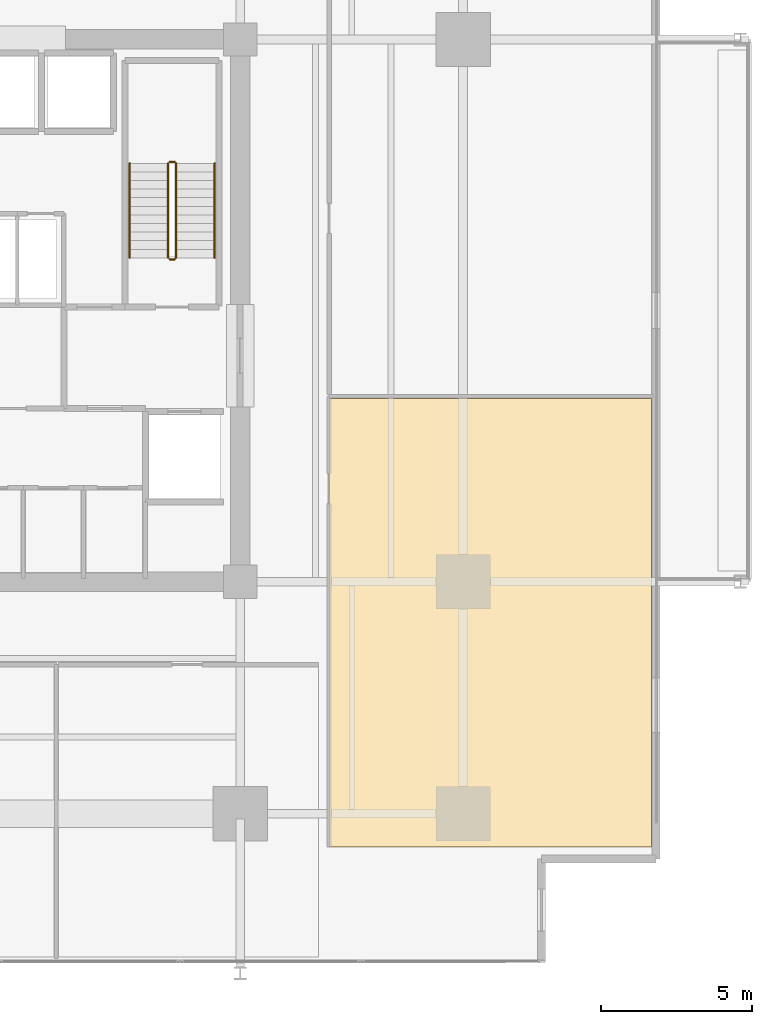
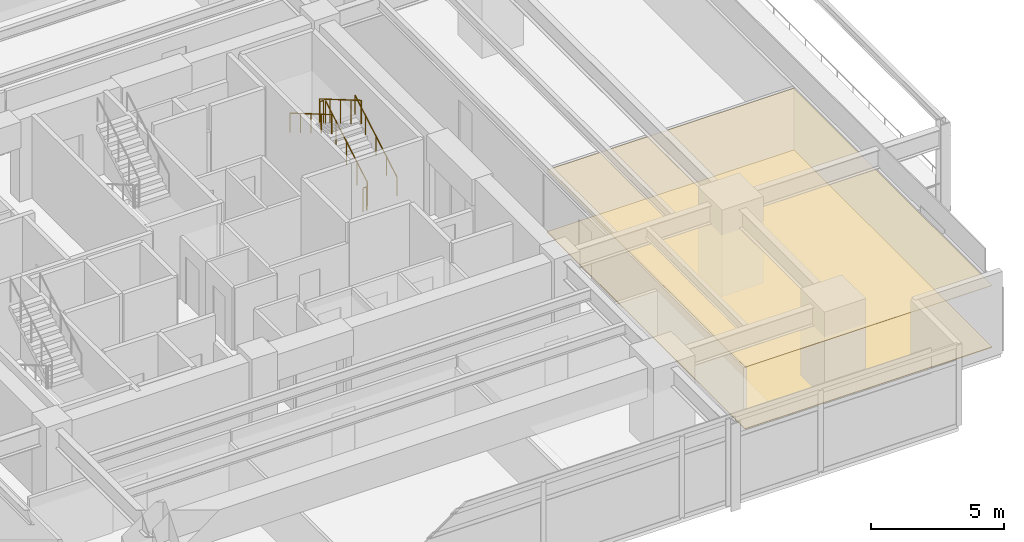
# One storey, part 20 of 21: 6 railings, 2 coverings.
"""IFC4 building model written with IfcOpenShell, lengths in metres."""

from ifc_helpers import new_model, si_unit, direction, frame, origin, origin_2d, place, context, subcontext, project, spatial, polyline, circle, outline, extrude, material, layer, layer_set, type_object, element, save


model = new_model("IFC4")

# Units and contexts
model_context = context("Model", 3, precision=1e-05, world=origin(), true_north=direction((0.0, 1.0)))
body_context = subcontext(model_context, "Body", "Model", "MODEL_VIEW")
ifc_project = project(units=[si_unit("LENGTHUNIT", "METRE"), si_unit("AREAUNIT", "SQUARE_METRE"), si_unit("VOLUMEUNIT", "CUBIC_METRE"), si_unit("PLANEANGLEUNIT", "RADIAN"), si_unit("MASSUNIT", "GRAM", prefix="KILO")], contexts=[model_context])

# Site, building, storey
site_placement = place(None, origin())
site = spatial("IfcSite", under=ifc_project, at=site_placement, CompositionType="ELEMENT")
building_placement = place(site_placement, origin())
building = spatial("IfcBuilding", under=site, at=building_placement, Name="Kovane Verandah Tower", CompositionType="ELEMENT")
storey_placement = place(building_placement, frame((0.0, 0.0, 27.60009765625)))
storey = spatial("IfcBuildingStorey", under=building, at=storey_placement, Name="L05", CompositionType="ELEMENT", Elevation=27.60009765625)

# Coverings
ifc_material_1 = material(Name="Perforated Acoustic Mineral-Fibre Ceiling Tile", Category="gypsum")
ifc_layer_1 = layer(ifc_material_1, 0.02490234375)
ifc_layer_set_1 = layer_set([ifc_layer_1], Name="Perforated Acoustic Mineral-Fibre Ceiling Tile")
covering_type_1 = type_object("IfcCoveringType", Name="CV-CEIL-25", PredefinedType="CEILING", material=ifc_layer_set_1)
covering_1_placement = place(storey_placement, frame((0.0, 0.0, 2.824951171875)))
element("IfcCovering", 1, at=covering_1_placement, inside=storey, type_object=covering_type_1, Name="L05 Collaboration Hub E1 Acoustic Ceiling", PredefinedType="CEILING", context=body_context, shape_type="SweptSolid", body=[
    extrude(outline(polyline([(53.949951171875, 9.699951171875), (64.64990234375, 9.699951171875), (64.64990234375, 24.58203125), (53.949951171875, 24.58203125), (53.949951171875, 9.699951171875)])), origin(), (0.0, 0.0, 1.0), 0.02490234375),
])
ifc_material_2 = material(Name="Polished Terrazzo and Raised-Access Carpet Tile Finish", Category="concrete")
ifc_layer_2 = layer(ifc_material_2, 0.030029296875)
ifc_layer_set_2 = layer_set([ifc_layer_2], Name="Polished Terrazzo and Raised-Access Carpet Tile Finish")
covering_type_2 = type_object("IfcCoveringType", Name="CV-FLOR-30", PredefinedType="FLOORING", material=ifc_layer_set_2)
covering_2_placement = place(storey_placement, origin())
element("IfcCovering", 2, at=covering_2_placement, inside=storey, type_object=covering_type_2, Name="L05 Collaboration Hub E1 Floor Finish", PredefinedType="FLOORING", context=body_context, shape_type="SweptSolid", body=[
    extrude(outline(polyline([(53.949951171875, 9.699951171875), (64.64990234375, 9.699951171875), (64.64990234375, 24.58203125), (53.949951171875, 24.58203125), (53.949951171875, 9.699951171875)])), origin(), (0.0, 0.0, 1.0), 0.02978515625),
])

# Railings
ifc_material_3 = material(Name="Brushed Stainless Steel Handrail", Category="steel")
railing_type_1 = type_object("IfcRailingType", Name="RL-HAND-920", PredefinedType="HANDRAIL", material=ifc_material_3)
railing_1_placement = place(storey_placement, frame((50.14990234375, 29.25, 0.16650390625)))
element("IfcRailing", 3, at=railing_1_placement, inside=storey, type_object=railing_type_1, Name="L05 ST-02 stair handrail 1", PredefinedType="HANDRAIL", context=body_context, shape_type="SweptSolid", body=[
    extrude(circle(Radius=0.02392578125, at=origin_2d()), frame((0.0, 0.0, 0.8759765625), z_axis=(0.0, 0.863210265497, 0.504844567704), x_axis=(-1.0, 0.0, 0.0)), (0.0, 0.0, 1.0), 3.6318359375),
    extrude(circle(Radius=0.02099609375, at=origin_2d()), origin(), (0.0, 0.0, 1.0), 0.851806640625),
    extrude(circle(Radius=0.02099609375, at=origin_2d()), frame((0.0, 0.78369140625, 0.45849609375)), (0.0, 0.0, 1.0), 0.851806640625),
    extrude(circle(Radius=0.02099609375, at=origin_2d()), frame((0.0, 1.5673828125, 0.916748046875)), (0.0, 0.0, 1.0), 0.851806640625),
    extrude(circle(Radius=0.02099609375, at=origin_2d()), frame((0.0, 2.351318359375, 1.375)), (0.0, 0.0, 1.0), 0.851806640625),
    extrude(circle(Radius=0.02099609375, at=origin_2d()), frame((0.0, 3.135009765625, 1.83349609375)), (0.0, 0.0, 1.0), 0.851806640625),
])
railing_2_placement = place(storey_placement, frame((47.330078125, 32.385009765625, 2.16650390625)))
element("IfcRailing", 4, at=railing_2_placement, inside=storey, type_object=railing_type_1, Name="L05 ST-02 stair handrail 2", PredefinedType="HANDRAIL", context=body_context, shape_type="SweptSolid", body=[
    extrude(circle(Radius=0.02392578125, at=origin_2d()), frame((0.0, 0.0, 0.8759765625), z_axis=(0.0, -0.863210265497, 0.504844567704), x_axis=(1.0, 0.0, 0.0)), (0.0, 0.0, 1.0), 3.6318359375),
    extrude(circle(Radius=0.02099609375, at=origin_2d()), origin(), (0.0, 0.0, 1.0), 0.851806640625),
    extrude(circle(Radius=0.02099609375, at=origin_2d()), frame((0.0, -0.78369140625, 0.45849609375)), (0.0, 0.0, 1.0), 0.851806640625),
    extrude(circle(Radius=0.02099609375, at=origin_2d()), frame((0.0, -1.5673828125, 0.916748046875)), (0.0, 0.0, 1.0), 0.851806640625),
    extrude(circle(Radius=0.02099609375, at=origin_2d()), frame((0.0, -2.351318359375, 1.375)), (0.0, 0.0, 1.0), 0.851806640625),
    extrude(circle(Radius=0.02099609375, at=origin_2d()), frame((0.0, -3.135009765625, 1.83349609375)), (0.0, 0.0, 1.0), 0.851806640625),
])
ifc_material_4 = material(Name="Painted Steel Stairwell Guardrail", Category="steel")
railing_type_2 = type_object("IfcRailingType", Name="RL-STGUARD-1120", PredefinedType="GUARDRAIL", material=ifc_material_4)
railing_3_placement = place(storey_placement, frame((48.8701171875, 29.25, 0.16650390625)))
element("IfcRailing", 5, at=railing_3_placement, inside=storey, type_object=railing_type_2, Name="L05 ST-02 stair guard 1", PredefinedType="GUARDRAIL", context=body_context, shape_type="SweptSolid", body=[
    extrude(circle(Radius=0.02392578125, at=origin_2d()), frame((0.0, 0.0, 1.076171875), z_axis=(0.0, 0.863210265497, 0.504844567704), x_axis=(-1.0, 0.0, 0.0)), (0.0, 0.0, 1.0), 3.6318359375),
    extrude(circle(Radius=0.02099609375, at=origin_2d()), origin(), (0.0, 0.0, 1.0), 1.052001953125),
    extrude(circle(Radius=0.02099609375, at=origin_2d()), frame((0.0, 0.78369140625, 0.45849609375)), (0.0, 0.0, 1.0), 1.052001953125),
    extrude(circle(Radius=0.02099609375, at=origin_2d()), frame((0.0, 1.5673828125, 0.916748046875)), (0.0, 0.0, 1.0), 1.052001953125),
    extrude(circle(Radius=0.02099609375, at=origin_2d()), frame((0.0, 2.351318359375, 1.375)), (0.0, 0.0, 1.0), 1.052001953125),
    extrude(circle(Radius=0.02099609375, at=origin_2d()), frame((0.0, 3.135009765625, 1.83349609375)), (0.0, 0.0, 1.0), 1.052001953125),
])
railing_4_placement = place(storey_placement, frame((48.820068359375, 32.43505859375, 2.0)))
element("IfcRailing", 6, at=railing_4_placement, inside=storey, type_object=railing_type_2, Name="L05 ST-02 stair guard 2", PredefinedType="GUARDRAIL", context=body_context, shape_type="SweptSolid", body=[
    extrude(circle(Radius=0.02392578125, at=origin_2d()), frame((0.0, 0.0, 1.076171875), z_axis=(-1.0, 0.0, 0.0), x_axis=(0.0, -1.0, 0.0)), (0.0, 0.0, 1.0), 0.16015625),
    extrude(circle(Radius=0.02099609375, at=origin_2d()), origin(), (0.0, 0.0, 1.0), 1.052001953125),
    extrude(circle(Radius=0.02099609375, at=origin_2d()), frame((-0.16015625, 0.0, 0.0)), (0.0, 0.0, 1.0), 1.052001953125),
])
railing_5_placement = place(storey_placement, frame((48.610107421875, 32.385009765625, 2.16650390625)))
element("IfcRailing", 7, at=railing_5_placement, inside=storey, type_object=railing_type_2, Name="L05 ST-02 stair guard 3", PredefinedType="GUARDRAIL", context=body_context, shape_type="SweptSolid", body=[
    extrude(circle(Radius=0.02392578125, at=origin_2d()), frame((0.0, 0.0, 1.076171875), z_axis=(0.0, -0.863210265497, 0.504844567704), x_axis=(1.0, 0.0, 0.0)), (0.0, 0.0, 1.0), 3.6318359375),
    extrude(circle(Radius=0.02099609375, at=origin_2d()), origin(), (0.0, 0.0, 1.0), 1.052001953125),
    extrude(circle(Radius=0.02099609375, at=origin_2d()), frame((0.0, -0.78369140625, 0.45849609375)), (0.0, 0.0, 1.0), 1.052001953125),
    extrude(circle(Radius=0.02099609375, at=origin_2d()), frame((0.0, -1.5673828125, 0.916748046875)), (0.0, 0.0, 1.0), 1.052001953125),
    extrude(circle(Radius=0.02099609375, at=origin_2d()), frame((0.0, -2.351318359375, 1.375)), (0.0, 0.0, 1.0), 1.052001953125),
    extrude(circle(Radius=0.02099609375, at=origin_2d()), frame((0.0, -3.135009765625, 1.83349609375)), (0.0, 0.0, 1.0), 1.052001953125),
])
railing_6_placement = place(storey_placement, frame((48.820068359375, 29.199951171875, 0.0)))
element("IfcRailing", 8, at=railing_6_placement, inside=storey, type_object=railing_type_2, Name="L05 ST-02 stair guard 4", PredefinedType="GUARDRAIL", context=body_context, shape_type="SweptSolid", body=[
    extrude(circle(Radius=0.02392578125, at=origin_2d()), frame((0.0, 0.0, 1.076171875), z_axis=(-1.0, 0.0, 0.0), x_axis=(0.0, -1.0, 0.0)), (0.0, 0.0, 1.0), 0.16015625),
    extrude(circle(Radius=0.02099609375, at=origin_2d()), origin(), (0.0, 0.0, 1.0), 1.052001953125),
    extrude(circle(Radius=0.02099609375, at=origin_2d()), frame((-0.16015625, 0.0, 0.0)), (0.0, 0.0, 1.0), 1.052001953125),
])

save(model, "model.ifc")
